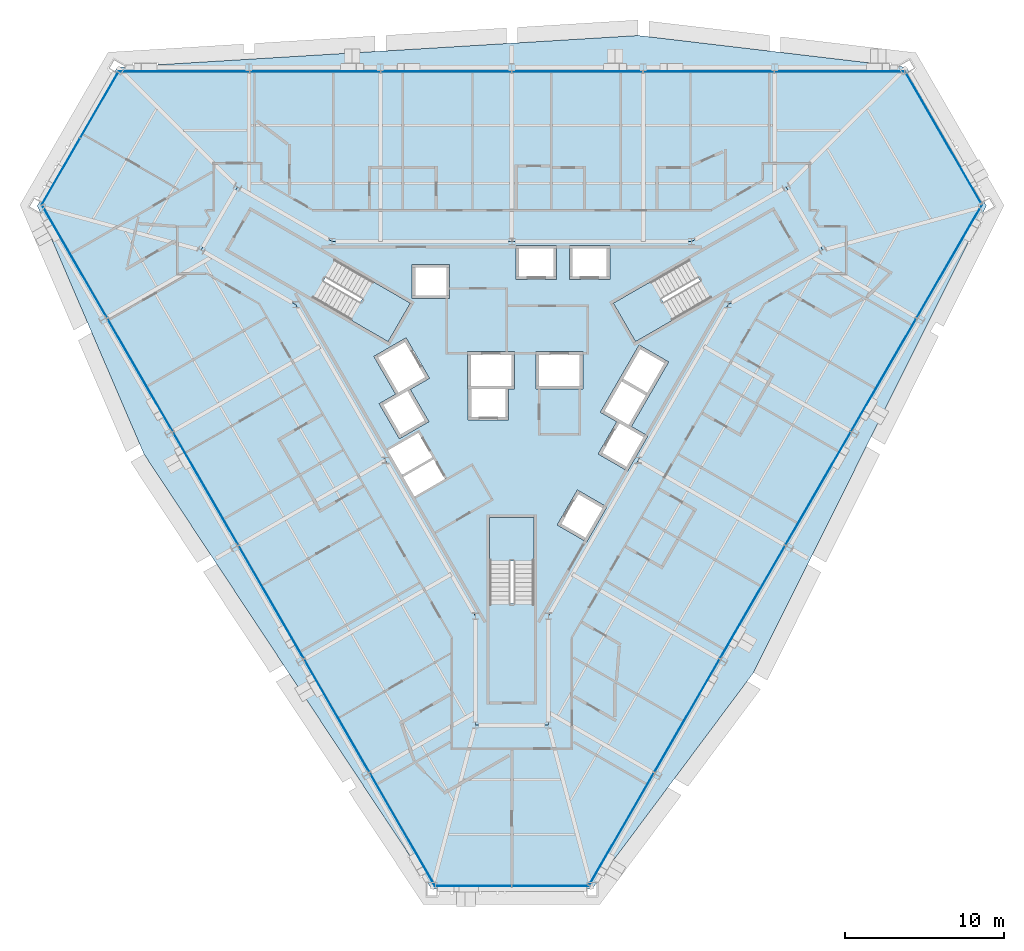
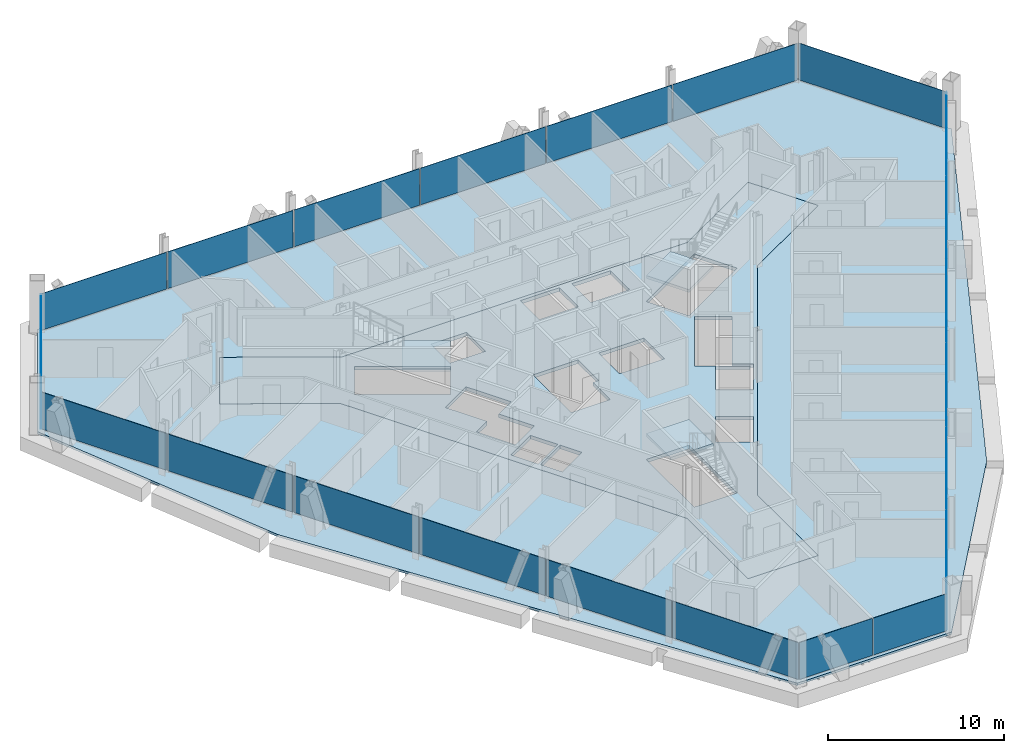
# One storey, part 9 of 17: 23 plates, 5 slabs, 9 elements without a shape of their own.
"""IFC4 building model written with IfcOpenShell, lengths in metres."""

import ifcopenshell
import ifcopenshell.guid

model = None  # the IFC model being written
_history = None  # IfcOwnerHistory: only IFC2X3 demands one
_inside = {}  # id of a spatial element -> (the spatial element, [elements in it])
_under = {}  # id of a project, library or spatial element -> (it, [spatial elements below it])
_declared = {}  # id of a project -> (the project, [libraries it declares])
_typed = {}  # id of a type object -> (the type object, [elements of that type])
_made_of = {}  # id of a material, layer set ... -> (it, [elements and type objects made of it])


def new_model(schema):
    """Start an empty IFC model of exactly this schema.

    Asked for "IFC4X3", IfcOpenShell would pick the latest addendum, in which some entities
    have other attributes; the version numbers below select the first issue.
    IFC2X3 requires an IfcOwnerHistory on every rooted entity: one is made here for all.
    """
    global model, _history
    if schema == "IFC4X3":
        model = ifcopenshell.file(schema_version=(4, 3, 0, 0))
    else:
        model = ifcopenshell.file(schema=schema)
    _inside.clear()
    _under.clear()
    _declared.clear()
    _typed.clear()
    _made_of.clear()
    _history = None
    if model.schema == "IFC2X3":
        org = make("IfcOrganization", Name="unknown")
        user = make(
            "IfcPersonAndOrganization",
            ThePerson=make("IfcPerson", FamilyName="unknown"),
            TheOrganization=org,
        )
        app = make(
            "IfcApplication",
            ApplicationDeveloper=org,
            Version="unknown",
            ApplicationFullName="unknown",
            ApplicationIdentifier="unknown",
        )
        _history = make(
            "IfcOwnerHistory",
            OwningUser=user,
            OwningApplication=app,
            ChangeAction="ADDED",
            CreationDate=0,
        )
    return model


def make(cls, **values):
    """One entity of the class cls with the attributes given. An attribute that is None is left unset."""
    return model.create_entity(
        cls, **{name: value for name, value in values.items() if value is not None}
    )


def rooted(cls, **values):
    """An entity with a GlobalId (a new one), such as an element, a storey or a relation."""
    return make(cls, GlobalId=ifcopenshell.guid.new(), OwnerHistory=_history, **values)


def si_unit(unit_type, name, prefix=None):
    """IfcSIUnit, for example si_unit("LENGTHUNIT", "METRE", prefix="MILLI")."""
    return make("IfcSIUnit", UnitType=unit_type, Prefix=prefix, Name=name)


def assignment(units):
    """IfcUnitAssignment: the units of a project."""
    return None if units is None else make("IfcUnitAssignment", Units=units)


def point(xyz):
    """IfcCartesianPoint."""
    return None if xyz is None else make("IfcCartesianPoint", Coordinates=xyz)


def direction(xyz):
    """IfcDirection."""
    return None if xyz is None else make("IfcDirection", DirectionRatios=xyz)


def frame(location, z_axis=None, x_axis=None):
    """IfcAxis2Placement3D, a coordinate frame: its origin and axes. An axis left out is left unset."""
    return make(
        "IfcAxis2Placement3D",
        Location=point(location),
        Axis=direction(z_axis),
        RefDirection=direction(x_axis),
    )


def frame_2d(location, x_axis=None):
    """IfcAxis2Placement2D, a coordinate frame in the plane: its origin and x axis."""
    return make(
        "IfcAxis2Placement2D", Location=point(location), RefDirection=direction(x_axis)
    )


def origin():
    """The frame at (0, 0, 0) with its axes left unset."""
    return frame((0.0, 0.0, 0.0))


def origin_2d():
    """The frame at (0, 0) in the plane with its x axis left unset."""
    return frame_2d((0.0, 0.0))


def place(relative_to, where):
    """IfcLocalPlacement: puts the frame where relative to a parent placement (None: the world)."""
    return make(
        "IfcLocalPlacement", PlacementRelTo=relative_to, RelativePlacement=where
    )


def context(
    kind, dimensions, precision=None, world=None, true_north=None, identifier=None
):
    """IfcGeometricRepresentationContext, for example the 3D "Model" context."""
    return make(
        "IfcGeometricRepresentationContext",
        ContextIdentifier=identifier,
        ContextType=kind,
        CoordinateSpaceDimension=dimensions,
        Precision=precision,
        WorldCoordinateSystem=world,
        TrueNorth=true_north,
    )


def subcontext(parent, identifier, kind, view, scale=None):
    """IfcGeometricRepresentationSubContext, for example "Body" below "Model"."""
    return make(
        "IfcGeometricRepresentationSubContext",
        ContextIdentifier=identifier,
        ContextType=kind,
        ParentContext=parent,
        TargetScale=scale,
        TargetView=view,
    )


def project(units=None, contexts=None):
    """IfcProject with its units and contexts."""
    return rooted(
        "IfcProject",
        Name="project",
        RepresentationContexts=contexts,
        UnitsInContext=assignment(units),
    )


def spatial(cls, under=None, at=None, **own):
    """A site, building, storey or space (cls), placed at a placement, below another one or the project."""
    s = rooted(cls, ObjectPlacement=at, **own)
    if under is not None:
        _under.setdefault(under.id(), (under, []))[1].append(s)
    return s


def polyline(points):
    """IfcPolyline through the points."""
    return make("IfcPolyline", Points=[point(p) for p in points])


def profile(cls, at=None, kind="AREA", **sizes):
    """A parametric profile (cls). Its sizes go by their IFC names, for example OverallWidth=200.0."""
    return make(cls, ProfileType=kind, Position=at, **sizes)


def rectangle(**sizes):
    """IfcRectangleProfileDef."""
    return profile("IfcRectangleProfileDef", **sizes)


def outline(outer, holes=None, kind="AREA"):
    """IfcArbitraryClosedProfileDef: a profile drawn as a closed curve; with holes, ...WithVoids."""
    if holes is None:
        return make("IfcArbitraryClosedProfileDef", ProfileType=kind, OuterCurve=outer)
    return make(
        "IfcArbitraryProfileDefWithVoids",
        ProfileType=kind,
        OuterCurve=outer,
        InnerCurves=holes,
    )


def extrude(swept, where, along, depth):
    """IfcExtrudedAreaSolid: the profile swept, set in the frame where, extruded along a direction by depth."""
    return make(
        "IfcExtrudedAreaSolid",
        SweptArea=swept,
        Position=where,
        ExtrudedDirection=direction(along),
        Depth=depth,
    )


def shape(context_of_items, identifier, shape_type, items):
    """IfcShapeRepresentation: the items that make up one representation, for example the "Body"."""
    return make(
        "IfcShapeRepresentation",
        ContextOfItems=context_of_items,
        RepresentationIdentifier=identifier,
        RepresentationType=shape_type,
        Items=items,
    )


def material(Name=None, Category=None):
    """IfcMaterial."""
    return make("IfcMaterial", Name=Name, Category=Category)


def layer(
    of_material, thickness, ventilated=None, Name=None, Category=None, Priority=None
):
    """IfcMaterialLayer: one layer of a wall or slab, of a material (None: an air gap)."""
    return make(
        "IfcMaterialLayer",
        Material=of_material,
        LayerThickness=thickness,
        IsVentilated=ventilated,
        Name=Name,
        Category=Category,
        Priority=Priority,
    )


def layer_set(layers, Name=None):
    """IfcMaterialLayerSet."""
    return make("IfcMaterialLayerSet", MaterialLayers=layers, LayerSetName=Name)


def made_of(thing, what):
    """Note that an element or type object is made of a material, layer set ...; save() writes the relation."""
    if what is not None:
        _made_of.setdefault(what.id(), (what, []))[1].append(thing)
    return thing


def type_object(cls, material=None, **own):
    """A type object (cls), such as IfcWallType, which elements share."""
    return made_of(rooted(cls, **own), material)


def element(
    cls,
    number,
    at=None,
    inside=None,
    cuts=None,
    type_object=None,
    material=None,
    context=None,
    identifier="Body",
    shape_type=None,
    held_by="IfcProductDefinitionShape",
    body=None,
    shapes=None,
    **own,
):
    """One element of the class cls, such as IfcWall. Its Tag is "e" and its number.

    at: its placement. inside: the storey or other place that contains it. cuts: it is an
    opening in that element (IfcRelVoidsElement). A single representation is given by context,
    identifier, shape_type and body (its items); several are given by shapes. held_by: the class
    of the entity that holds the representations. save() writes the other relations.
    """
    e = rooted(cls, Tag="e%d" % number, ObjectPlacement=at, **own)
    if body is not None:
        shapes = [shape(context, identifier, shape_type, body)]
    if shapes is not None:
        e.Representation = make(held_by, Representations=shapes)
    if inside is not None:
        _inside.setdefault(inside.id(), (inside, []))[1].append(e)
    if cuts is not None:
        rooted(
            "IfcRelVoidsElement", RelatingBuildingElement=cuts, RelatedOpeningElement=e
        )
    if type_object is not None:
        _typed.setdefault(type_object.id(), (type_object, []))[1].append(e)
    return made_of(e, material)


def aggregate(whole, parts):
    """IfcRelAggregates: a whole, such as a stair, and the parts it consists of."""
    return rooted("IfcRelAggregates", RelatingObject=whole, RelatedObjects=parts)


def save(model, path):
    """Write the relations noted so far, then the file.

    IfcRelAggregates (storeys below a building ...), IfcRelContainedInSpatialStructure (elements
    in a storey), IfcRelDefinesByType, IfcRelAssociatesMaterial and IfcRelDeclares: one each for
    every whole, place, type object, material and project.
    """
    for whole, parts in _under.values():
        aggregate(whole, parts)
    for where, things in _inside.values():
        rooted(
            "IfcRelContainedInSpatialStructure",
            RelatedElements=things,
            RelatingStructure=where,
        )
    for kind, things in _typed.values():
        rooted("IfcRelDefinesByType", RelatedObjects=things, RelatingType=kind)
    for what, things in _made_of.values():
        rooted("IfcRelAssociatesMaterial", RelatedObjects=things, RelatingMaterial=what)
    for by, libraries in _declared.values():
        rooted("IfcRelDeclares", RelatingContext=by, RelatedDefinitions=libraries)
    model.write(path)


model = new_model("IFC4")

# Units and contexts
model_context = context("Model", 3, precision=1e-05, world=origin(), true_north=direction((0.0, 1.0)))
body_context = subcontext(model_context, "Body", "Model", "MODEL_VIEW")
ifc_project = project(units=[si_unit("LENGTHUNIT", "METRE"), si_unit("AREAUNIT", "SQUARE_METRE"), si_unit("VOLUMEUNIT", "CUBIC_METRE"), si_unit("PLANEANGLEUNIT", "RADIAN"), si_unit("MASSUNIT", "GRAM", prefix="KILO")], contexts=[model_context])

# Site, building, storey
site_placement = place(None, origin())
site = spatial("IfcSite", under=ifc_project, at=site_placement, CompositionType="ELEMENT")
building_placement = place(site_placement, origin())
building = spatial("IfcBuilding", under=site, at=building_placement, Name="Verrane Prism Tower", CompositionType="ELEMENT")
storey_placement = place(building_placement, frame((0.0, 0.0, 136.0)))
storey = spatial("IfcBuildingStorey", under=building, at=storey_placement, Name="L33", CompositionType="ELEMENT", Elevation=136.0)

# Slabs
ifc_material_1 = material(Name="Concrete C35/45", Category="concrete")
ifc_layer_1 = layer(ifc_material_1, 0.159912109375)
ifc_layer_set_1 = layer_set([ifc_layer_1], Name="Composite floor slab")
slab_type_1 = type_object("IfcSlabType", Name="Composite floor slab", PredefinedType="FLOOR", material=ifc_layer_set_1)
slab_1_placement = place(storey_placement, frame((0.0, 0.0, -0.159912109375)))
element("IfcSlab", 1, at=slab_1_placement, inside=storey, type_object=slab_type_1, Name="Floor slab L33", PredefinedType="FLOOR", context=body_context, shape_type="SweptSolid", body=[
    extrude(outline(polyline([(15.23681640625, -17.989013671875), (5.047119140625, -31.63818359375), (-5.047119140625, -31.63818359375), (-23.197265625, -4.201171875), (-29.923095703125, 11.4482421875), (-24.876220703125, 20.18994140625), (7.96044921875, 22.18994140625), (24.876220703125, 20.18994140625), (29.923095703125, 11.4482421875), (15.23681640625, -17.989013671875)]), holes=[polyline([(19.60009765625, 8.659912109375), (17.300048828125, 12.639892578125), (11.330078125, 9.199951171875), (0.0, 9.199951171875), (-11.330078125, 9.199951171875), (-17.300048828125, 12.639892578125), (-19.60009765625, 8.659912109375), (-13.6298828125, 5.219970703125), (-7.969970703125, -4.60009765625), (-2.300048828125, -14.419921875), (-2.300048828125, -21.300048828125), (2.300048828125, -21.300048828125), (2.300048828125, -14.419921875), (7.969970703125, -4.60009765625), (13.6298828125, 5.219970703125), (19.60009765625, 8.659912109375)])]), origin(), (0.0, 0.0, 1.0), 0.159912109375),
])
ifc_material_2 = material(Name="Concrete C40/50", Category="concrete")
ifc_layer_2 = layer(ifc_material_2, 0.25)
ifc_layer_set_2 = layer_set([ifc_layer_2], Name="Core floor slab 250 concrete C40/50")
slab_type_2 = type_object("IfcSlabType", Name="Core floor slab 250 concrete C40/50", PredefinedType="FLOOR", material=ifc_layer_set_2)
slab_2_placement = place(storey_placement, frame((0.0, 0.0, -0.25)))
element("IfcSlab", 2, at=slab_2_placement, inside=storey, type_object=slab_type_2, Name="Core floor L33", PredefinedType="FLOOR", context=body_context, shape_type="SweptSolid", body=[
    extrude(outline(polyline([(13.6298828125, 5.219970703125), (19.60009765625, 8.659912109375), (17.300048828125, 12.639892578125), (11.330078125, 9.199951171875), (0.0, 9.199951171875), (-11.330078125, 9.199951171875), (-17.300048828125, 12.639892578125), (-19.60009765625, 8.659912109375), (-13.6298828125, 5.219970703125), (-7.969970703125, -4.60009765625), (-2.300048828125, -14.419921875), (-2.300048828125, -21.300048828125), (2.300048828125, -21.300048828125), (2.300048828125, -14.419921875), (7.969970703125, -4.60009765625), (13.6298828125, 5.219970703125)]), holes=[polyline([(1.39990234375, -8.199951171875), (1.39990234375, -13.639892578125), (-1.39990234375, -13.639892578125), (-1.39990234375, -8.199951171875), (1.39990234375, -8.199951171875)]), polyline([(-4.215087890625, -5.77099609375), (-6.14208984375, -6.883056640625), (-6.85400390625, -5.64599609375), (-4.928955078125, -4.533935546875), (-4.215087890625, -5.77099609375)]), polyline([(-5.0029296875, -4.404052734375), (-6.929931640625, -5.51708984375), (-7.819091796875, -3.97705078125), (-5.89306640625, -2.864013671875), (-5.0029296875, -4.404052734375)]), polyline([(0.1650390625, 2.25), (0.1650390625, -0.10009765625), (-0.205078125, -0.10009765625), (-0.205078125, -2.050048828125), (-2.7548828125, -2.050048828125), (-2.7548828125, -0.10009765625), (-2.784912109375, -0.10009765625), (-2.784912109375, 2.25), (0.1650390625, 2.25)]), polyline([(-12.512939453125, 5.60791015625), (-11.113037109375, 8.031982421875), (-6.40087890625, 5.31201171875), (-7.801025390625, 2.887939453125), (-12.512939453125, 5.60791015625)]), polyline([(-6.284912109375, 5.610107421875), (-6.284912109375, 7.760009765625), (-3.93505859375, 7.760009765625), (-3.93505859375, 5.610107421875), (-6.284912109375, 5.610107421875)]), polyline([(4.717041015625, -9.75), (2.85498046875, -8.675048828125), (4.1298828125, -6.466064453125), (5.991943359375, -7.541015625), (4.717041015625, -9.75)]), polyline([(8.303955078125, -3.136962890625), (5.575927734375, -1.56201171875), (8.02587890625, 2.680908203125), (9.887939453125, 1.60595703125), (7.5380859375, -2.464111328125), (8.576904296875, -3.06396484375), (7.302001953125, -5.27197265625), (5.43994140625, -4.197021484375), (6.614990234375, -2.162109375), (8.303955078125, -3.136962890625)]), polyline([(1.52490234375, -0.10009765625), (1.52490234375, 2.25), (4.47509765625, 2.25), (4.47509765625, -0.10009765625), (1.52490234375, -0.10009765625)]), polyline([(6.40087890625, 5.31201171875), (11.113037109375, 8.031982421875), (12.512939453125, 5.60791015625), (7.801025390625, 2.887939453125), (6.40087890625, 5.31201171875)]), polyline([(0.264892578125, 6.81005859375), (0.264892578125, 8.9599609375), (2.81494140625, 8.9599609375), (2.81494140625, 6.81005859375), (0.264892578125, 6.81005859375)]), polyline([(3.625, 6.81005859375), (3.625, 8.9599609375), (6.175048828125, 8.9599609375), (6.175048828125, 6.81005859375), (3.625, 6.81005859375)]), polyline([(-5.23095703125, -2.159912109375), (-7.093017578125, -3.235107421875), (-8.367919921875, -1.02587890625), (-7.3291015625, -0.426025390625), (-8.7041015625, 1.955078125), (-6.66796875, 3.1298828125), (-5.193115234375, 0.574951171875), (-6.406005859375, -0.125), (-5.23095703125, -2.159912109375)])]), origin(), (0.0, 0.0, 1.0), 0.25),
])

# Curtain wall, plates
ifc_material_3 = material(Name="Aluminium framed insulated glazing", Category="aluminium")
curtain_wall_type_1 = type_object("IfcCurtainWallType", Name="Curtain wall CW-C 4200 module", PredefinedType="NOTDEFINED", material=ifc_material_3)
curtain_wall_1_placement = place(storey_placement, origin())
curtain_wall_1 = element("IfcCurtainWall", 3, at=curtain_wall_1_placement, inside=storey, type_object=curtain_wall_type_1, Name="Glazed curtain wall south corner L33", PredefinedType="NOTDEFINED")
ifc_material_4 = material(Name="Low-iron insulating glass unit", Category="glass")
ifc_layer_3 = layer(ifc_material_4, 0.02392578125)
ifc_layer_set_3 = layer_set([ifc_layer_3], Name="Glazing panel IGU 24")
plate_type_1 = type_object("IfcPlateType", Name="Glazing panel IGU 24", PredefinedType="CURTAIN_PANEL", material=ifc_layer_set_3)
plate_1_placement = place(storey_placement, frame((-2.408447265625, -31.435546875, 0.050048828125), z_axis=(0.0, 0.0, 1.0), x_axis=(1.0, 0.0, 0.0)))
plate_1 = element("IfcPlate", 4, at=plate_1_placement, type_object=plate_type_1, Name="CW32.5 panel 1", PredefinedType="CURTAIN_PANEL", context=body_context, shape_type="SweptSolid", body=[
    extrude(rectangle(XDim=4.766845703125, YDim=0.02392578125, at=origin_2d()), origin(), (0.0, 0.0, 1.0), 2.56298828125),
])
plate_2_placement = place(storey_placement, frame((2.433349609375, -31.435546875, 0.050048828125), z_axis=(0.0, 0.0, 1.0), x_axis=(1.0, 0.0, 0.0)))
plate_2 = element("IfcPlate", 5, at=plate_2_placement, type_object=plate_type_1, Name="CW32.5 panel 2", PredefinedType="CURTAIN_PANEL", context=body_context, shape_type="SweptSolid", body=[
    extrude(rectangle(XDim=4.81689453125, YDim=0.02392578125, at=origin_2d()), origin(), (0.0, 0.0, 1.0), 2.56298828125),
])
aggregate(curtain_wall_1, [plate_1, plate_2])

ifc_material_5 = material(Name="Aluminium framed insulated glazing", Category="aluminium")
curtain_wall_type_2 = type_object("IfcCurtainWallType", Name="Curtain wall CW-B 5600 module", PredefinedType="NOTDEFINED", material=ifc_material_5)
curtain_wall_2_placement = place(storey_placement, origin())
curtain_wall_2 = element("IfcCurtainWall", 6, at=curtain_wall_2_placement, inside=storey, type_object=curtain_wall_type_2, Name="Glazed curtain wall north-west corner L33", PredefinedType="NOTDEFINED")
ifc_material_6 = material(Name="Low-iron insulating glass unit", Category="glass")
ifc_layer_4 = layer(ifc_material_6, 0.028076171875)
ifc_layer_set_4 = layer_set([ifc_layer_4], Name="Glazing panel IGU 28")
plate_type_2 = type_object("IfcPlateType", Name="Glazing panel IGU 28", PredefinedType="CURTAIN_PANEL", material=ifc_layer_set_4)
plate_3_placement = place(storey_placement, frame((-26.02099609375, 17.80126953125, 0.06005859375), z_axis=(0.0, 0.0, 1.0), x_axis=(-0.499996279953, -0.866027551544, 0.0)))
plate_3 = element("IfcPlate", 7, at=plate_3_placement, type_object=plate_type_2, Name="CW32.3 panel 1", PredefinedType="CURTAIN_PANEL", context=body_context, shape_type="SweptSolid", body=[
    extrude(rectangle(XDim=4.751953125, YDim=0.028076171875, at=origin_2d()), origin(), (0.0, 0.0, 1.0), 2.552978515625),
])
plate_4_placement = place(storey_placement, frame((-28.44189453125, 13.608154296875, 0.06005859375), z_axis=(0.0, 0.0, 1.0), x_axis=(-0.499996279953, -0.866027551544, 0.0)))
plate_4 = element("IfcPlate", 8, at=plate_4_placement, type_object=plate_type_2, Name="CW32.3 panel 2", PredefinedType="CURTAIN_PANEL", context=body_context, shape_type="SweptSolid", body=[
    extrude(rectangle(XDim=4.81201171875, YDim=0.028076171875, at=origin_2d()), origin(), (0.0, 0.0, 1.0), 2.552978515625),
])
aggregate(curtain_wall_2, [plate_3, plate_4])

# Curtain wall, plate
ifc_material_7 = material(Name="Aluminium framed insulated glazing", Category="aluminium")
curtain_wall_type_3 = type_object("IfcCurtainWallType", Name="Curtain wall CW-A 8400 module", PredefinedType="NOTDEFINED", material=ifc_material_7)
curtain_wall_3_placement = place(storey_placement, origin())
curtain_wall_3 = element("IfcCurtainWall", 9, at=curtain_wall_3_placement, inside=storey, type_object=curtain_wall_type_3, Name="Glazed curtain wall north-east corner L33", PredefinedType="NOTDEFINED")
ifc_material_8 = material(Name="Low-iron insulating glass unit", Category="glass")
ifc_layer_5 = layer(ifc_material_8, 0.031982421875)
ifc_layer_set_5 = layer_set([ifc_layer_5], Name="Glazing panel IGU 32")
plate_type_3 = type_object("IfcPlateType", Name="Glazing panel IGU 32", PredefinedType="CURTAIN_PANEL", material=ifc_layer_set_5)
plate_5_placement = place(storey_placement, frame((27.20654296875, 15.748046875, 0.070068359375), z_axis=(0.0, 0.0, 1.0), x_axis=(-0.499996279953, 0.866027551544, 0.0)))
plate_5 = element("IfcPlate", 10, at=plate_5_placement, type_object=plate_type_3, Name="CW32.1 panel 1", PredefinedType="CURTAIN_PANEL", context=body_context, shape_type="SweptSolid", body=[
    extrude(rectangle(XDim=9.61376953125, YDim=0.031982421875, at=origin_2d()), origin(), (0.0, 0.0, 1.0), 2.54296875),
])
aggregate(curtain_wall_3, [plate_5])

# Curtain wall, plates
curtain_wall_4_placement = place(storey_placement, origin())
curtain_wall_4 = element("IfcCurtainWall", 11, at=curtain_wall_4_placement, inside=storey, type_object=curtain_wall_type_3, Name="Glazed curtain wall north face L33", PredefinedType="NOTDEFINED")
plate_6_placement = place(storey_placement, frame((20.651611328125, 19.910888671875, 0.070068359375), z_axis=(0.0, 0.0, 1.0), x_axis=(-1.0, 0.0, 0.0)))
plate_6 = element("IfcPlate", 12, at=plate_6_placement, type_object=plate_type_3, Name="CW32.2 panel 1", PredefinedType="CURTAIN_PANEL", context=body_context, shape_type="SweptSolid", body=[
    extrude(rectangle(XDim=8.16259765625, YDim=0.031982421875, at=origin_2d()), origin(), (0.0, 0.0, 1.0), 2.54296875),
])
plate_7_placement = place(storey_placement, frame((12.401611328125, 19.910888671875, 0.070068359375), z_axis=(0.0, 0.0, 1.0), x_axis=(-1.0, 0.0, 0.0)))
plate_7 = element("IfcPlate", 13, at=plate_7_placement, type_object=plate_type_3, Name="CW32.2 panel 2", PredefinedType="CURTAIN_PANEL", context=body_context, shape_type="SweptSolid", body=[
    extrude(rectangle(XDim=8.19775390625, YDim=0.031982421875, at=origin_2d()), origin(), (0.0, 0.0, 1.0), 2.54296875),
])
plate_8_placement = place(storey_placement, frame((4.1337890625, 19.910888671875, 0.070068359375), z_axis=(0.0, 0.0, 1.0), x_axis=(-1.0, 0.0, 0.0)))
plate_8 = element("IfcPlate", 14, at=plate_8_placement, type_object=plate_type_3, Name="CW32.2 panel 3", PredefinedType="CURTAIN_PANEL", context=body_context, shape_type="SweptSolid", body=[
    extrude(rectangle(XDim=8.19775390625, YDim=0.031982421875, at=origin_2d()), origin(), (0.0, 0.0, 1.0), 2.54296875),
])
plate_9_placement = place(storey_placement, frame((-4.1337890625, 19.910888671875, 0.070068359375), z_axis=(0.0, 0.0, 1.0), x_axis=(-1.0, 0.0, 0.0)))
plate_9 = element("IfcPlate", 15, at=plate_9_placement, type_object=plate_type_3, Name="CW32.2 panel 4", PredefinedType="CURTAIN_PANEL", context=body_context, shape_type="SweptSolid", body=[
    extrude(rectangle(XDim=8.19775390625, YDim=0.031982421875, at=origin_2d()), origin(), (0.0, 0.0, 1.0), 2.54296875),
])
plate_10_placement = place(storey_placement, frame((-12.401611328125, 19.910888671875, 0.070068359375), z_axis=(0.0, 0.0, 1.0), x_axis=(-1.0, 0.0, 0.0)))
plate_10 = element("IfcPlate", 16, at=plate_10_placement, type_object=plate_type_3, Name="CW32.2 panel 5", PredefinedType="CURTAIN_PANEL", context=body_context, shape_type="SweptSolid", body=[
    extrude(rectangle(XDim=8.19775390625, YDim=0.031982421875, at=origin_2d()), origin(), (0.0, 0.0, 1.0), 2.54296875),
])
plate_11_placement = place(storey_placement, frame((-20.686767578125, 19.910888671875, 0.070068359375), z_axis=(0.0, 0.0, 1.0), x_axis=(-1.0, 0.0, 0.0)))
plate_11 = element("IfcPlate", 17, at=plate_11_placement, type_object=plate_type_3, Name="CW32.2 panel 6", PredefinedType="CURTAIN_PANEL", context=body_context, shape_type="SweptSolid", body=[
    extrude(rectangle(XDim=8.232666015625, YDim=0.031982421875, at=origin_2d()), origin(), (0.0, 0.0, 1.0), 2.54296875),
])
aggregate(curtain_wall_4, [plate_6, plate_7, plate_8, plate_9, plate_10, plate_11])

curtain_wall_5_placement = place(storey_placement, origin())
curtain_wall_5 = element("IfcCurtainWall", 18, at=curtain_wall_5_placement, inside=storey, type_object=curtain_wall_type_3, Name="Glazed curtain wall south-west face L33", PredefinedType="NOTDEFINED")
plate_12_placement = place(storey_placement, frame((-27.5693359375, 7.929443359375, 0.070068359375), z_axis=(0.0, 0.0, 1.0), x_axis=(0.500000490406, -0.866025120648, 0.0)))
plate_12 = element("IfcPlate", 19, at=plate_12_placement, type_object=plate_type_3, Name="CW32.4 panel 1", PredefinedType="CURTAIN_PANEL", context=body_context, shape_type="SweptSolid", body=[
    extrude(rectangle(XDim=8.16259765625, YDim=0.031982421875, at=origin_2d()), origin(), (0.0, 0.0, 1.0), 2.54296875),
])
plate_13_placement = place(storey_placement, frame((-23.444091796875, 0.784423828125, 0.070068359375), z_axis=(0.0, 0.0, 1.0), x_axis=(0.500000490406, -0.866025120648, 0.0)))
plate_13 = element("IfcPlate", 20, at=plate_13_placement, type_object=plate_type_3, Name="CW32.4 panel 2", PredefinedType="CURTAIN_PANEL", context=body_context, shape_type="SweptSolid", body=[
    extrude(rectangle(XDim=8.19775390625, YDim=0.031982421875, at=origin_2d()), origin(), (0.0, 0.0, 1.0), 2.54296875),
])
plate_14_placement = place(storey_placement, frame((-19.310302734375, -6.37548828125, 0.070068359375), z_axis=(0.0, 0.0, 1.0), x_axis=(0.500000490406, -0.866025120648, 0.0)))
plate_14 = element("IfcPlate", 21, at=plate_14_placement, type_object=plate_type_3, Name="CW32.4 panel 3", PredefinedType="CURTAIN_PANEL", context=body_context, shape_type="SweptSolid", body=[
    extrude(rectangle(XDim=8.19775390625, YDim=0.031982421875, at=origin_2d()), origin(), (0.0, 0.0, 1.0), 2.54296875),
])
plate_15_placement = place(storey_placement, frame((-15.176513671875, -13.535400390625, 0.070068359375), z_axis=(0.0, 0.0, 1.0), x_axis=(0.500000490406, -0.866025120648, 0.0)))
plate_15 = element("IfcPlate", 22, at=plate_15_placement, type_object=plate_type_3, Name="CW32.4 panel 4", PredefinedType="CURTAIN_PANEL", context=body_context, shape_type="SweptSolid", body=[
    extrude(rectangle(XDim=8.19775390625, YDim=0.031982421875, at=origin_2d()), origin(), (0.0, 0.0, 1.0), 2.54296875),
])
plate_16_placement = place(storey_placement, frame((-11.042724609375, -20.695556640625, 0.070068359375), z_axis=(0.0, 0.0, 1.0), x_axis=(0.500000490406, -0.866025120648, 0.0)))
plate_16 = element("IfcPlate", 23, at=plate_16_placement, type_object=plate_type_3, Name="CW32.4 panel 5", PredefinedType="CURTAIN_PANEL", context=body_context, shape_type="SweptSolid", body=[
    extrude(rectangle(XDim=8.19775390625, YDim=0.031982421875, at=origin_2d()), origin(), (0.0, 0.0, 1.0), 2.54296875),
])
plate_17_placement = place(storey_placement, frame((-6.900146484375, -27.87060546875, 0.070068359375), z_axis=(0.0, 0.0, 1.0), x_axis=(0.500000490406, -0.866025120648, 0.0)))
plate_17 = element("IfcPlate", 24, at=plate_17_placement, type_object=plate_type_3, Name="CW32.4 panel 6", PredefinedType="CURTAIN_PANEL", context=body_context, shape_type="SweptSolid", body=[
    extrude(rectangle(XDim=8.232666015625, YDim=0.031982421875, at=origin_2d()), origin(), (0.0, 0.0, 1.0), 2.54296875),
])
aggregate(curtain_wall_5, [plate_12, plate_13, plate_14, plate_15, plate_16, plate_17])

curtain_wall_6_placement = place(storey_placement, origin())
curtain_wall_6 = element("IfcCurtainWall", 25, at=curtain_wall_6_placement, inside=storey, type_object=curtain_wall_type_3, Name="Glazed curtain wall south-east face L33", PredefinedType="NOTDEFINED")
plate_18_placement = place(storey_placement, frame((6.91748046875, -27.84033203125, 0.070068359375), z_axis=(0.0, 0.0, 1.0), x_axis=(0.500000490406, 0.866025120648, 0.0)))
plate_18 = element("IfcPlate", 26, at=plate_18_placement, type_object=plate_type_3, Name="CW32.6 panel 1", PredefinedType="CURTAIN_PANEL", context=body_context, shape_type="SweptSolid", body=[
    extrude(rectangle(XDim=8.16259765625, YDim=0.031982421875, at=origin_2d()), origin(), (0.0, 0.0, 1.0), 2.54296875),
])
plate_19_placement = place(storey_placement, frame((11.042724609375, -20.695556640625, 0.070068359375), z_axis=(0.0, 0.0, 1.0), x_axis=(0.500000490406, 0.866025120648, 0.0)))
plate_19 = element("IfcPlate", 27, at=plate_19_placement, type_object=plate_type_3, Name="CW32.6 panel 2", PredefinedType="CURTAIN_PANEL", context=body_context, shape_type="SweptSolid", body=[
    extrude(rectangle(XDim=8.19775390625, YDim=0.031982421875, at=origin_2d()), origin(), (0.0, 0.0, 1.0), 2.54296875),
])
plate_20_placement = place(storey_placement, frame((15.176513671875, -13.535400390625, 0.070068359375), z_axis=(0.0, 0.0, 1.0), x_axis=(0.500000490406, 0.866025120648, 0.0)))
plate_20 = element("IfcPlate", 28, at=plate_20_placement, type_object=plate_type_3, Name="CW32.6 panel 3", PredefinedType="CURTAIN_PANEL", context=body_context, shape_type="SweptSolid", body=[
    extrude(rectangle(XDim=8.19775390625, YDim=0.031982421875, at=origin_2d()), origin(), (0.0, 0.0, 1.0), 2.54296875),
])
plate_21_placement = place(storey_placement, frame((19.310302734375, -6.37548828125, 0.070068359375), z_axis=(0.0, 0.0, 1.0), x_axis=(0.500000490406, 0.866025120648, 0.0)))
plate_21 = element("IfcPlate", 29, at=plate_21_placement, type_object=plate_type_3, Name="CW32.6 panel 4", PredefinedType="CURTAIN_PANEL", context=body_context, shape_type="SweptSolid", body=[
    extrude(rectangle(XDim=8.19775390625, YDim=0.031982421875, at=origin_2d()), origin(), (0.0, 0.0, 1.0), 2.54296875),
])
plate_22_placement = place(storey_placement, frame((23.444091796875, 0.784423828125, 0.070068359375), z_axis=(0.0, 0.0, 1.0), x_axis=(0.500000490406, 0.866025120648, 0.0)))
plate_22 = element("IfcPlate", 30, at=plate_22_placement, type_object=plate_type_3, Name="CW32.6 panel 5", PredefinedType="CURTAIN_PANEL", context=body_context, shape_type="SweptSolid", body=[
    extrude(rectangle(XDim=8.19775390625, YDim=0.031982421875, at=origin_2d()), origin(), (0.0, 0.0, 1.0), 2.54296875),
])
plate_23_placement = place(storey_placement, frame((27.586669921875, 7.959716796875, 0.070068359375), z_axis=(0.0, 0.0, 1.0), x_axis=(0.500000490406, 0.866025120648, 0.0)))
plate_23 = element("IfcPlate", 31, at=plate_23_placement, type_object=plate_type_3, Name="CW32.6 panel 6", PredefinedType="CURTAIN_PANEL", context=body_context, shape_type="SweptSolid", body=[
    extrude(rectangle(XDim=8.232666015625, YDim=0.031982421875, at=origin_2d()), origin(), (0.0, 0.0, 1.0), 2.54296875),
])
aggregate(curtain_wall_6, [plate_18, plate_19, plate_20, plate_21, plate_22, plate_23])

# Stair, slab
ifc_material_9 = material(Name="Concrete C40/50", Category="concrete")
stair_type = type_object("IfcStairType", Name="Exit stair 1300 dog-leg precast concrete C40/50", PredefinedType="HALF_TURN_STAIR", material=ifc_material_9)
stair_1_placement = place(storey_placement, origin())
stair_1 = element("IfcStair", 32, at=stair_1_placement, inside=storey, type_object=stair_type, Name="Stair 1 L33", PredefinedType="HALF_TURN_STAIR")
ifc_material_10 = material(Name="Concrete C40/50", Category="concrete")
ifc_layer_6 = layer(ifc_material_10, 0.199951171875)
ifc_layer_set_6 = layer_set([ifc_layer_6], Name="Stair landing 200 precast concrete C40/50")
slab_type_3 = type_object("IfcSlabType", Name="Stair landing 200 precast concrete C40/50", PredefinedType="LANDING", material=ifc_layer_set_6)
slab_3_placement = place(storey_placement, frame((0.0, 0.0, 1.60009765625)))
slab_3 = element("IfcSlab", 33, at=slab_3_placement, type_object=slab_type_3, Name="Stair 1 landing 1", PredefinedType="LANDING", context=body_context, shape_type="SweptSolid", body=[
    extrude(outline(polyline([(8.791748046875, 6.6923828125), (6.4013671875, 5.3125), (7.801513671875, 2.887451171875), (10.191650390625, 4.267578125), (8.791748046875, 6.6923828125)])), origin(), (0.0, 0.0, 1.0), 0.199951171875),
])
aggregate(stair_1, [slab_3])

stair_2_placement = place(storey_placement, origin())
stair_2 = element("IfcStair", 34, at=stair_2_placement, inside=storey, type_object=stair_type, Name="Stair 2 L33", PredefinedType="HALF_TURN_STAIR")
slab_4_placement = place(storey_placement, frame((0.0, 0.0, 1.60009765625)))
slab_4 = element("IfcSlab", 35, at=slab_4_placement, type_object=slab_type_3, Name="Stair 2 landing 1", PredefinedType="LANDING", context=body_context, shape_type="SweptSolid", body=[
    extrude(outline(polyline([(-10.191650390625, 4.267578125), (-7.801513671875, 2.887451171875), (-6.4013671875, 5.3125), (-8.791748046875, 6.6923828125), (-10.191650390625, 4.267578125)])), origin(), (0.0, 0.0, 1.0), 0.199951171875),
])
aggregate(stair_2, [slab_4])

stair_3_placement = place(storey_placement, origin())
stair_3 = element("IfcStair", 36, at=stair_3_placement, inside=storey, type_object=stair_type, Name="Stair 3 L33", PredefinedType="HALF_TURN_STAIR")
slab_5_placement = place(storey_placement, frame((0.0, 0.0, 1.60009765625)))
slab_5 = element("IfcSlab", 37, at=slab_5_placement, type_object=slab_type_3, Name="Stair 3 landing 1", PredefinedType="LANDING", context=body_context, shape_type="SweptSolid", body=[
    extrude(outline(polyline([(1.39990234375, -10.9599609375), (1.39990234375, -8.199951171875), (-1.39990234375, -8.199951171875), (-1.39990234375, -10.9599609375), (1.39990234375, -10.9599609375)])), origin(), (0.0, 0.0, 1.0), 0.199951171875),
])
aggregate(stair_3, [slab_5])

save(model, "model.ifc")
